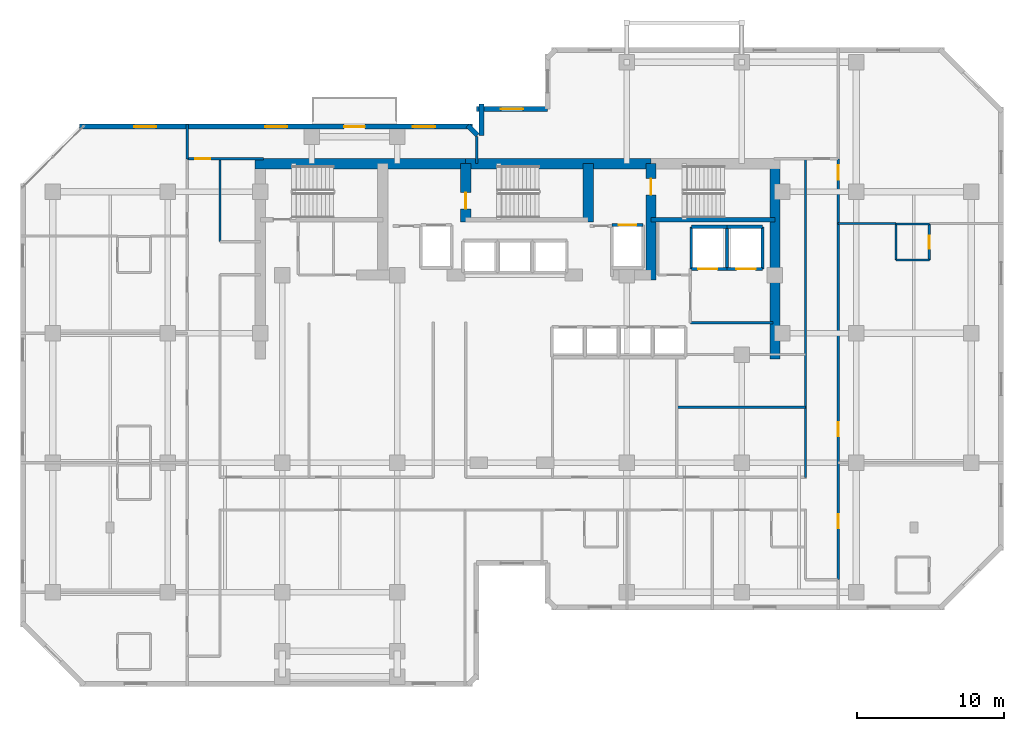
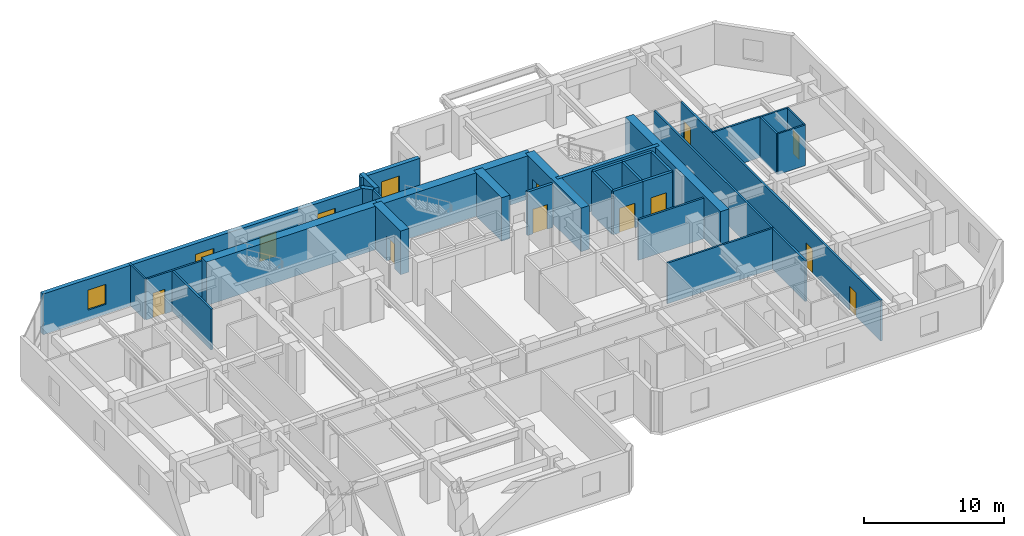
# One storey, part 7 of 9: 32 walls, 11 doors, 4 windows, 15 openings.
"""IFC4 building model written with IfcOpenShell, lengths in metres."""

from ifc_helpers import new_model, si_unit, direction, frame, frame_2d, origin, place, context, subcontext, project, spatial, rectangle, extrude, material, layer, layer_set, type_object, element, fill, save


model = new_model("IFC4")

# Units and contexts
model_context = context("Model", 3, precision=1e-05, world=origin(), true_north=direction((0.0, 1.0)))
body_context = subcontext(model_context, "Body", "Model", "MODEL_VIEW")
ifc_project = project(units=[si_unit("LENGTHUNIT", "METRE"), si_unit("AREAUNIT", "SQUARE_METRE"), si_unit("VOLUMEUNIT", "CUBIC_METRE"), si_unit("PLANEANGLEUNIT", "RADIAN"), si_unit("MASSUNIT", "GRAM", prefix="KILO")], contexts=[model_context])

# Site, building, storey
site_placement = place(None, origin())
site = spatial("IfcSite", under=ifc_project, at=site_placement, CompositionType="ELEMENT")
building_placement = place(site_placement, origin())
building = spatial("IfcBuilding", under=site, at=building_placement, Name="Kestravale Grand Hotel", CompositionType="ELEMENT")
storey_placement = place(building_placement, frame((0.0, 0.0, 146.0)))
storey = spatial("IfcBuildingStorey", under=building, at=storey_placement, Name="L36", CompositionType="ELEMENT", Elevation=146.0)

# Walls
ifc_material_1 = material(Name="Concrete f'c 60 MPa", Category="concrete")
ifc_layer_1 = layer(ifc_material_1, 0.699951171875)
ifc_layer_set_1 = layer_set([ifc_layer_1], Name="EW-CORE-700")
wall_type_1 = type_object("IfcWallType", Name="EW-CORE-700", PredefinedType="SHEAR", material=ifc_layer_set_1)
wall_1_placement = place(storey_placement, frame((21.550048828125, 40.320068359375, 0.0), z_axis=(0.0, 0.0, 1.0), x_axis=(1.0, 0.0, 0.0)))
element("IfcWall", 1, at=wall_1_placement, inside=storey, type_object=wall_type_1, Name="L36 core shear wall N1", PredefinedType="SHEAR", context=body_context, shape_type="SweptSolid", body=[
    extrude(rectangle(XDim=14.300048828125, YDim=0.699951171875, at=frame_2d((7.14990234375, 0.0))), origin(), (0.0, 0.0, 1.0), 3.800048828125),
])
wall_2_placement = place(storey_placement, frame((35.85009765625, 40.320068359375, 0.0), z_axis=(0.0, 0.0, 1.0), x_axis=(1.0, 0.0, 0.0)))
element("IfcWall", 2, at=wall_2_placement, inside=storey, type_object=wall_type_1, Name="L36 core shear wall N2", PredefinedType="SHEAR", context=body_context, shape_type="SweptSolid", body=[
    extrude(rectangle(XDim=12.599853515625, YDim=0.699951171875, at=frame_2d((6.2998046875, 0.0))), origin(), (0.0, 0.0, 1.0), 3.800048828125),
])
wall_3_placement = place(storey_placement, frame((56.8701171875, 27.050048828125, 0.0), z_axis=(0.0, 0.0, 1.0), x_axis=(0.0, 1.0, 0.0)))
element("IfcWall", 3, at=wall_3_placement, inside=storey, type_object=wall_type_1, Name="L36 core shear wall E1", PredefinedType="SHEAR", context=body_context, shape_type="SweptSolid", body=[
    extrude(rectangle(XDim=13.619873046875, YDim=0.699951171875, at=frame_2d((6.81005859375, 0.0))), origin(), (0.0, 0.0, 1.0), 3.800048828125),
])

# Wall, opening, door
wall_4_placement = place(storey_placement, frame((35.85009765625, 36.3701171875, 0.0), z_axis=(0.0, 0.0, 1.0), x_axis=(0.0, 1.0, 0.0)))
wall_4 = element("IfcWall", 4, at=wall_4_placement, inside=storey, type_object=wall_type_1, Name="L36 core shear wall X2", PredefinedType="SHEAR", context=body_context, shape_type="SweptSolid", body=[
    extrude(rectangle(XDim=3.949951171875, YDim=0.699951171875, at=frame_2d((1.97509765625, 0.0))), origin(), (0.0, 0.0, 1.0), 3.800048828125),
])
opening_1_placement = place(wall_4_placement, frame((0.8798828125, 0.0, 0.0)))
opening_1 = element("IfcOpeningElement", 5, at=opening_1_placement, cuts=wall_4, Name="Opening D-ST-1100", PredefinedType="OPENING", context=body_context, shape_type="SweptSolid", body=[
    extrude(rectangle(XDim=1.10009765625, YDim=2.14990234375, at=frame_2d((0.550048828125, 1.074951171875))), frame((0.0, 0.35986328125, 0.0), z_axis=(0.0, -1.0, 0.0), x_axis=(1.0, 0.0, 0.0)), (0.0, 0.0, 1.0), 0.719970703125),
])
ifc_material_2 = material(Name="Galvanised 90-minute fire-rated steel stair door", Category="steel")
door_type_1 = type_object("IfcDoorType", Name="D-ST-1100", OperationType="NOTDEFINED", PredefinedType="DOOR", material=ifc_material_2)
door_1_placement = place(opening_1_placement, origin())
door_1 = element("IfcDoor", 6, at=door_1_placement, inside=storey, type_object=door_type_1, Name="L36 Stair ST-2 FSAE fire door", OperationType="SINGLE_SWING_RIGHT", OverallHeight=2.14990234375, OverallWidth=1.10009765625, PredefinedType="DOOR", context=body_context, shape_type="SweptSolid", body=[
    extrude(rectangle(XDim=1.10009765625, YDim=2.14990234375, at=frame_2d((0.550048828125, 1.074951171875))), frame((0.0, 0.02490234375, 0.0), z_axis=(0.0, -1.0, 0.0), x_axis=(1.0, 0.0, 0.0)), (0.0, 0.0, 1.0), 0.050048828125),
])
fill(opening_1, door_1)

# Wall
wall_5_placement = place(storey_placement, frame((44.179931640625, 36.3701171875, 0.0), z_axis=(0.0, 0.0, 1.0), x_axis=(0.0, 1.0, 0.0)))
element("IfcWall", 7, at=wall_5_placement, inside=storey, type_object=wall_type_1, Name="L36 core shear wall X3", PredefinedType="SHEAR", context=body_context, shape_type="SweptSolid", body=[
    extrude(rectangle(XDim=3.949951171875, YDim=0.699951171875, at=frame_2d((1.97509765625, 0.0))), origin(), (0.0, 0.0, 1.0), 3.800048828125),
])

# Wall, opening, door
wall_6_placement = place(storey_placement, frame((48.449951171875, 32.39990234375, 0.0), z_axis=(0.0, 0.0, 1.0), x_axis=(0.0, 1.0, 0.0)))
wall_6 = element("IfcWall", 8, at=wall_6_placement, inside=storey, type_object=wall_type_1, Name="L36 core shear wall X4", PredefinedType="SHEAR", context=body_context, shape_type="SweptSolid", body=[
    extrude(rectangle(XDim=7.920166015625, YDim=0.699951171875, at=frame_2d((3.9599609375, 0.0))), origin(), (0.0, 0.0, 1.0), 3.800048828125),
])
opening_2_placement = place(wall_6_placement, frame((5.800048828125, 0.0, 0.0)))
opening_2 = element("IfcOpeningElement", 9, at=opening_2_placement, cuts=wall_6, Name="Opening D-ST-1100", PredefinedType="OPENING", context=body_context, shape_type="SweptSolid", body=[
    extrude(rectangle(XDim=1.10009765625, YDim=2.14990234375, at=frame_2d((0.550048828125, 1.074951171875))), frame((0.0, 0.35986328125, 0.0), z_axis=(0.0, -1.0, 0.0), x_axis=(1.0, 0.0, 0.0)), (0.0, 0.0, 1.0), 0.719970703125),
])
door_2_placement = place(opening_2_placement, origin())
door_2 = element("IfcDoor", 10, at=door_2_placement, inside=storey, type_object=door_type_1, Name="L36 Stair ST-3 FSAE fire door", OperationType="SINGLE_SWING_RIGHT", OverallHeight=2.14990234375, OverallWidth=1.10009765625, PredefinedType="DOOR", context=body_context, shape_type="SweptSolid", body=[
    extrude(rectangle(XDim=1.10009765625, YDim=2.14990234375, at=frame_2d((0.550048828125, 1.074951171875))), frame((0.0, 0.02490234375, 0.0), z_axis=(0.0, -1.0, 0.0), x_axis=(1.0, 0.0, 0.0)), (0.0, 0.0, 1.0), 0.050048828125),
])
fill(opening_2, door_2)

# Wall, opening, window
ifc_material_3 = material(Name="Precast concrete f'c 45 MPa", Category="concrete")
ifc_layer_2 = layer(ifc_material_3, 0.340087890625)
ifc_layer_set_2 = layer_set([ifc_layer_2], Name="EW-PREC-340")
wall_type_2 = type_object("IfcWallType", Name="EW-PREC-340", PredefinedType="SOLIDWALL", material=ifc_layer_set_2)
wall_7_placement = place(storey_placement, frame((41.419921875, 44.030029296875, 0.0), z_axis=(0.0, 0.0, 1.0), x_axis=(-1.0, 0.0, 0.0)))
wall_7 = element("IfcWall", 11, at=wall_7_placement, inside=storey, type_object=wall_type_2, Name="L36 fluted precast facade wall 14", PredefinedType="SOLIDWALL", context=body_context, shape_type="SweptSolid", body=[
    extrude(rectangle(XDim=4.83984375, YDim=0.340087890625, at=frame_2d((2.419921875, 0.0))), origin(), (0.0, 0.0, 1.0), 3.550048828125),
])
opening_3_placement = place(wall_7_placement, frame((1.669921875, 0.0, 0.85009765625)))
opening_3 = element("IfcOpeningElement", 12, at=opening_3_placement, cuts=wall_7, Name="Opening W-GUEST-1500", PredefinedType="OPENING", context=body_context, shape_type="SweptSolid", body=[
    extrude(rectangle(XDim=1.5, YDim=1.75, at=frame_2d((0.75, 0.875))), frame((0.0, 0.179931640625, 0.0), z_axis=(0.0, -1.0, 0.0), x_axis=(1.0, 0.0, 0.0)), (0.0, 0.0, 1.0), 0.360107421875),
])
ifc_material_4 = material(Name="Insulated low-E double glazing in aluminium frame", Category="aluminium")
window_type = type_object("IfcWindowType", Name="W-GUEST-1500", PartitioningType="SINGLE_PANEL", PredefinedType="WINDOW", material=ifc_material_4)
window_1_placement = place(opening_3_placement, origin())
window_1 = element("IfcWindow", 13, at=window_1_placement, inside=storey, type_object=window_type, Name="L36 exterior window 14.1", OverallHeight=1.75, OverallWidth=1.5, PartitioningType="SINGLE_PANEL", PredefinedType="WINDOW", context=body_context, shape_type="SweptSolid", body=[
    extrude(rectangle(XDim=1.5, YDim=1.75, at=frame_2d((0.75, 0.875))), frame((0.0, 0.030029296875, 0.0), z_axis=(0.0, -1.0, 0.0), x_axis=(1.0, 0.0, 0.0)), (0.0, 0.0, 1.0), 0.06005859375),
])
fill(opening_3, window_1)

# Walls
wall_8_placement = place(storey_placement, frame((36.919921875, 44.3701171875, 0.0), z_axis=(0.0, 0.0, 1.0), x_axis=(0.0, -1.0, 0.0)))
element("IfcWall", 14, at=wall_8_placement, inside=storey, type_object=wall_type_2, Name="L36 fluted precast facade wall 15", PredefinedType="SOLIDWALL", context=body_context, shape_type="SweptSolid", body=[
    extrude(rectangle(XDim=2.14013671875, YDim=0.340087890625, at=frame_2d((1.070068359375, 0.0))), origin(), (0.0, 0.0, 1.0), 3.550048828125),
])
wall_9_placement = place(storey_placement, frame((36.658203125, 42.25146484375, 0.0), z_axis=(0.0, 0.0, 1.0), x_axis=(-0.707106781187, 0.707106781187, 0.0)))
element("IfcWall", 15, at=wall_9_placement, inside=storey, type_object=wall_type_2, Name="L36 fluted precast facade wall 16", PredefinedType="SOLIDWALL", context=body_context, shape_type="SweptSolid", body=[
    extrude(rectangle(XDim=0.9287109375, YDim=0.340087890625, at=frame_2d((0.46435546875, 0.0))), origin(), (0.0, 0.0, 1.0), 3.550048828125),
])

# Wall, openings, door, windows
wall_10_placement = place(storey_placement, frame((36.320068359375, 42.830078125, 0.0), z_axis=(0.0, 0.0, 1.0), x_axis=(-1.0, 0.0, 0.0)))
wall_10 = element("IfcWall", 16, at=wall_10_placement, inside=storey, type_object=wall_type_2, Name="L36 fluted precast facade wall 17", PredefinedType="SOLIDWALL", context=body_context, shape_type="SweptSolid", body=[
    extrude(rectangle(XDim=26.690185546875, YDim=0.340087890625, at=frame_2d((13.34521484375, 0.0))), origin(), (0.0, 0.0, 1.0), 3.550048828125),
])
opening_4_placement = place(wall_10_placement, frame((7.320068359375, 0.0, 0.0)))
opening_4 = element("IfcOpeningElement", 17, at=opening_4_placement, cuts=wall_10, Name="Opening D-TERR-1400", PredefinedType="OPENING", context=body_context, shape_type="SweptSolid", body=[
    extrude(rectangle(XDim=1.39990234375, YDim=2.14990234375, at=frame_2d((0.699951171875, 1.074951171875))), frame((0.0, 0.179931640625, 0.0), z_axis=(0.0, -1.0, 0.0), x_axis=(1.0, 0.0, 0.0)), (0.0, 0.0, 1.0), 0.360107421875),
])
opening_5_placement = place(wall_10_placement, frame((2.54833984375, 0.0, 0.85009765625)))
opening_5 = element("IfcOpeningElement", 18, at=opening_5_placement, cuts=wall_10, Name="Opening W-GUEST-1500", PredefinedType="OPENING", context=body_context, shape_type="SweptSolid", body=[
    extrude(rectangle(XDim=1.5, YDim=1.75, at=frame_2d((0.75, 0.875))), frame((0.0, 0.179931640625, 0.0), z_axis=(0.0, -1.0, 0.0), x_axis=(1.0, 0.0, 0.0)), (0.0, 0.0, 1.0), 0.360107421875),
])
opening_6_placement = place(wall_10_placement, frame((12.594970703125, 0.0, 0.85009765625)))
opening_6 = element("IfcOpeningElement", 19, at=opening_6_placement, cuts=wall_10, Name="Opening W-GUEST-1500", PredefinedType="OPENING", context=body_context, shape_type="SweptSolid", body=[
    extrude(rectangle(XDim=1.5, YDim=1.75, at=frame_2d((0.75, 0.875))), frame((0.0, 0.179931640625, 0.0), z_axis=(0.0, -1.0, 0.0), x_axis=(1.0, 0.0, 0.0)), (0.0, 0.0, 1.0), 0.360107421875),
])
opening_7_placement = place(wall_10_placement, frame((21.49169921875, 0.0, 0.85009765625)))
opening_7 = element("IfcOpeningElement", 20, at=opening_7_placement, cuts=wall_10, Name="Opening W-GUEST-1500", PredefinedType="OPENING", context=body_context, shape_type="SweptSolid", body=[
    extrude(rectangle(XDim=1.5, YDim=1.75, at=frame_2d((0.75, 0.875))), frame((0.0, 0.179931640625, 0.0), z_axis=(0.0, -1.0, 0.0), x_axis=(1.0, 0.0, 0.0)), (0.0, 0.0, 1.0), 0.360107421875),
])
ifc_material_5 = material(Name="Insulated glazed champagne-bronze aluminium door", Category="aluminium")
door_type_2 = type_object("IfcDoorType", Name="D-TERR-1400", OperationType="NOTDEFINED", PredefinedType="DOOR", material=ifc_material_5)
door_3_placement = place(opening_4_placement, origin())
door_3 = element("IfcDoor", 21, at=door_3_placement, inside=storey, type_object=door_type_2, Name="L36 outdoor garden terrace door", OperationType="DOUBLE_DOOR_SINGLE_SWING", OverallHeight=2.14990234375, OverallWidth=1.39990234375, PredefinedType="DOOR", context=body_context, shape_type="SweptSolid", body=[
    extrude(rectangle(XDim=1.39990234375, YDim=2.14990234375, at=frame_2d((0.699951171875, 1.074951171875))), frame((0.0, 0.02490234375, 0.0), z_axis=(0.0, -1.0, 0.0), x_axis=(1.0, 0.0, 0.0)), (0.0, 0.0, 1.0), 0.050048828125),
])
fill(opening_4, door_3)
window_2_placement = place(opening_5_placement, origin())
window_2 = element("IfcWindow", 22, at=window_2_placement, inside=storey, type_object=window_type, Name="L36 exterior window 17.1", OverallHeight=1.75, OverallWidth=1.5, PartitioningType="SINGLE_PANEL", PredefinedType="WINDOW", context=body_context, shape_type="SweptSolid", body=[
    extrude(rectangle(XDim=1.5, YDim=1.75, at=frame_2d((0.75, 0.875))), frame((0.0, 0.030029296875, 0.0), z_axis=(0.0, -1.0, 0.0), x_axis=(1.0, 0.0, 0.0)), (0.0, 0.0, 1.0), 0.06005859375),
])
fill(opening_5, window_2)
window_3_placement = place(opening_6_placement, origin())
window_3 = element("IfcWindow", 23, at=window_3_placement, inside=storey, type_object=window_type, Name="L36 exterior window 17.2", OverallHeight=1.75, OverallWidth=1.5, PartitioningType="SINGLE_PANEL", PredefinedType="WINDOW", context=body_context, shape_type="SweptSolid", body=[
    extrude(rectangle(XDim=1.5, YDim=1.75, at=frame_2d((0.75, 0.875))), frame((0.0, 0.030029296875, 0.0), z_axis=(0.0, -1.0, 0.0), x_axis=(1.0, 0.0, 0.0)), (0.0, 0.0, 1.0), 0.06005859375),
])
fill(opening_6, window_3)
window_4_placement = place(opening_7_placement, origin())
window_4 = element("IfcWindow", 24, at=window_4_placement, inside=storey, type_object=window_type, Name="L36 exterior window 17.3", OverallHeight=1.75, OverallWidth=1.5, PartitioningType="SINGLE_PANEL", PredefinedType="WINDOW", context=body_context, shape_type="SweptSolid", body=[
    extrude(rectangle(XDim=1.5, YDim=1.75, at=frame_2d((0.75, 0.875))), frame((0.0, 0.030029296875, 0.0), z_axis=(0.0, -1.0, 0.0), x_axis=(1.0, 0.0, 0.0)), (0.0, 0.0, 1.0), 0.06005859375),
])
fill(opening_7, window_4)

# Walls
ifc_material_6 = material(Name="Concrete f'c 45 MPa", Category="concrete")
ifc_layer_3 = layer(ifc_material_6, 0.300048828125)
ifc_layer_set_3 = layer_set([ifc_layer_3], Name="EW-STAIR-300")
wall_type_3 = type_object("IfcWallType", Name="EW-STAIR-300", PredefinedType="SHEAR", material=ifc_layer_set_3)
wall_11_placement = place(storey_placement, frame((48.449951171875, 36.52001953125, 0.0), z_axis=(0.0, 0.0, 1.0), x_axis=(1.0, 0.0, 0.0)))
element("IfcWall", 25, at=wall_11_placement, inside=storey, type_object=wall_type_3, Name="L36 stair enclosure shear wall SST3", PredefinedType="SHEAR", context=body_context, shape_type="SweptSolid", body=[
    extrude(rectangle(XDim=8.420166015625, YDim=0.300048828125, at=frame_2d((4.2099609375, 0.0))), origin(), (0.0, 0.0, 1.0), 3.800048828125),
])
ifc_material_7 = material(Name="Acoustic fire-rated gypsum board partition", Category="other")
ifc_layer_4 = layer(ifc_material_7, 0.159912109375)
ifc_layer_set_4 = layer_set([ifc_layer_4], Name="IW-CORR-160")
wall_type_4 = type_object("IfcWallType", Name="IW-CORR-160", PredefinedType="PARTITIONING", material=ifc_layer_set_4)
for number, where, z_axis, x_axis, name in (
    (26, (51.1201171875, 29.5, 0.0), (0.0, 0.0, 1.0), (1.0, 0.0, 0.0), "L36 service lift lobby wall"),
    (27, (19.159912109375, 35.02001953125, 0.0), (0.0, 0.0, 1.0), (0.0, 1.0, 0.0), "W-L36-SW-EN"),
):
    element("IfcWall", number, at=place(storey_placement, frame(where, z_axis=z_axis, x_axis=x_axis)), inside=storey, type_object=wall_type_4, Name=name, PredefinedType="PARTITIONING", context=body_context, shape_type="SweptSolid", body=[
        extrude(rectangle(XDim=5.6298828125, YDim=0.159912109375, at=frame_2d((2.81494140625, 0.0))), origin(), (0.0, 0.0, 1.0), 3.550048828125),
    ])

# Wall, openings, doors
wall_12_placement = place(storey_placement, frame((61.159912109375, 12.050048828125, 0.0), z_axis=(0.0, 0.0, 1.0), x_axis=(0.0, 1.0, 0.0)))
wall_12 = element("IfcWall", 28, at=wall_12_placement, inside=storey, type_object=wall_type_4, Name="W-L36-SE-E", PredefinedType="PARTITIONING", context=body_context, shape_type="SweptSolid", body=[
    extrude(rectangle(XDim=28.599853515625, YDim=0.159912109375, at=frame_2d((14.2998046875, 0.0))), origin(), (0.0, 0.0, 1.0), 3.550048828125),
])
opening_8_placement = place(wall_12_placement, frame((3.5, 0.0, 0.0)))
opening_8 = element("IfcOpeningElement", 29, at=opening_8_placement, cuts=wall_12, Name="Opening D-GUEST-950", PredefinedType="OPENING", context=body_context, shape_type="SweptSolid", body=[
    extrude(rectangle(XDim=0.949951171875, YDim=2.10009765625, at=frame_2d((0.47509765625, 1.050048828125))), frame((0.0, 0.08984375, 0.0), z_axis=(0.0, -1.0, 0.0), x_axis=(1.0, 0.0, 0.0)), (0.0, 0.0, 1.0), 0.179931640625),
])
opening_9_placement = place(wall_12_placement, frame((9.758056640625, 0.0, 0.0)))
opening_9 = element("IfcOpeningElement", 30, at=opening_9_placement, cuts=wall_12, Name="Opening D-GUEST-950", PredefinedType="OPENING", context=body_context, shape_type="SweptSolid", body=[
    extrude(rectangle(XDim=0.949951171875, YDim=2.10009765625, at=frame_2d((0.47509765625, 1.050048828125))), frame((0.0, 0.08984375, 0.0), z_axis=(0.0, -1.0, 0.0), x_axis=(1.0, 0.0, 0.0)), (0.0, 0.0, 1.0), 0.179931640625),
])
opening_10_placement = place(wall_12_placement, frame((27.159912109375, 0.0, 0.0)))
opening_10 = element("IfcOpeningElement", 31, at=opening_10_placement, cuts=wall_12, Name="Opening D-GUEST-1000", PredefinedType="OPENING", context=body_context, shape_type="SweptSolid", body=[
    extrude(rectangle(XDim=1.0, YDim=2.14990234375, at=frame_2d((0.5, 1.074951171875))), frame((0.0, 0.08984375, 0.0), z_axis=(0.0, -1.0, 0.0), x_axis=(1.0, 0.0, 0.0)), (0.0, 0.0, 1.0), 0.179931640625),
])
ifc_material_8 = material(Name="Accessible walnut veneer hotel entrance fire door", Category="wood")
door_type_3 = type_object("IfcDoorType", Name="D-GUEST-1000", OperationType="NOTDEFINED", PredefinedType="DOOR", material=ifc_material_8)
door_4_placement = place(opening_10_placement, origin())
door_4 = element("IfcDoor", 32, at=door_4_placement, inside=storey, type_object=door_type_3, Name="D-L36-AMEW", OperationType="SINGLE_SWING_RIGHT", OverallHeight=2.14990234375, OverallWidth=1.0, PredefinedType="DOOR", context=body_context, shape_type="SweptSolid", body=[
    extrude(rectangle(XDim=1.0, YDim=2.14990234375, at=frame_2d((0.5, 1.074951171875))), frame((0.0, 0.02490234375, 0.0), z_axis=(0.0, -1.0, 0.0), x_axis=(1.0, 0.0, 0.0)), (0.0, 0.0, 1.0), 0.050048828125),
])
fill(opening_10, door_4)
ifc_material_9 = material(Name="Walnut veneer hotel guestroom entrance fire door", Category="wood")
door_type_4 = type_object("IfcDoorType", Name="D-GUEST-950", OperationType="NOTDEFINED", PredefinedType="DOOR", material=ifc_material_9)
door_5_placement = place(opening_8_placement, origin())
door_5 = element("IfcDoor", 33, at=door_5_placement, inside=storey, type_object=door_type_4, Name="D-L36-U07-ENT", OperationType="SINGLE_SWING_LEFT", OverallHeight=2.10009765625, OverallWidth=0.949951171875, PredefinedType="DOOR", context=body_context, shape_type="SweptSolid", body=[
    extrude(rectangle(XDim=0.949951171875, YDim=2.10009765625, at=frame_2d((0.47509765625, 1.050048828125))), frame((0.0, 0.02490234375, 0.0), z_axis=(0.0, -1.0, 0.0), x_axis=(1.0, 0.0, 0.0)), (0.0, 0.0, 1.0), 0.050048828125),
])
fill(opening_8, door_5)
door_6_placement = place(opening_9_placement, origin())
door_6 = element("IfcDoor", 34, at=door_6_placement, inside=storey, type_object=door_type_4, Name="D-L36-U08-ENT", OperationType="SINGLE_SWING_LEFT", OverallHeight=2.10009765625, OverallWidth=0.949951171875, PredefinedType="DOOR", context=body_context, shape_type="SweptSolid", body=[
    extrude(rectangle(XDim=0.949951171875, YDim=2.10009765625, at=frame_2d((0.47509765625, 1.050048828125))), frame((0.0, 0.02490234375, 0.0), z_axis=(0.0, -1.0, 0.0), x_axis=(1.0, 0.0, 0.0)), (0.0, 0.0, 1.0), 0.050048828125),
])
fill(opening_9, door_6)

# Walls
wall_13_placement = place(storey_placement, frame((58.93994140625, 19.010009765625, 0.0), z_axis=(0.0, 0.0, 1.0), x_axis=(0.0, 1.0, 0.0)))
element("IfcWall", 35, at=wall_13_placement, inside=storey, type_object=wall_type_4, Name="W-L36-SE-WU", PredefinedType="PARTITIONING", context=body_context, shape_type="SweptSolid", body=[
    extrude(rectangle(XDim=21.639892578125, YDim=0.159912109375, at=frame_2d((10.81982421875, 0.0))), origin(), (0.0, 0.0, 1.0), 3.550048828125),
])
ifc_material_10 = material(Name="Moisture-resistant tile-backer plumbing chase wall", Category="other")
ifc_layer_5 = layer(ifc_material_10, 0.139892578125)
ifc_layer_set_5 = layer_set([ifc_layer_5], Name="IW-PLB-140")
wall_type_5 = type_object("IfcWallType", Name="IW-PLB-140", PredefinedType="PLUMBINGWALL", material=ifc_layer_set_5)
wall_14_placement = place(storey_placement, frame((65.10009765625, 33.760009765625, 0.0), z_axis=(0.0, 0.0, 1.0), x_axis=(0.0, 1.0, 0.0)))
element("IfcWall", 36, at=wall_14_placement, inside=storey, type_object=wall_type_5, Name="W-L36-U08-BW", PredefinedType="PLUMBINGWALL", context=body_context, shape_type="SweptSolid", body=[
    extrude(rectangle(XDim=2.449951171875, YDim=0.139892578125, at=frame_2d((1.22509765625, 0.0))), origin(), (0.0, 0.0, 1.0), 3.550048828125),
])

# Wall, opening, door
wall_15_placement = place(storey_placement, frame((67.35009765625, 33.760009765625, 0.0), z_axis=(0.0, 0.0, 1.0), x_axis=(0.0, 1.0, 0.0)))
wall_15 = element("IfcWall", 37, at=wall_15_placement, inside=storey, type_object=wall_type_5, Name="W-L36-U08-BE", PredefinedType="PLUMBINGWALL", context=body_context, shape_type="SweptSolid", body=[
    extrude(rectangle(XDim=2.449951171875, YDim=0.139892578125, at=frame_2d((1.22509765625, 0.0))), origin(), (0.0, 0.0, 1.0), 3.550048828125),
])
opening_11_placement = place(wall_15_placement, frame((0.784912109375, 0.0, 0.0)))
opening_11 = element("IfcOpeningElement", 38, at=opening_11_placement, cuts=wall_15, Name="Opening D-BATH-880", PredefinedType="OPENING", context=body_context, shape_type="SweptSolid", body=[
    extrude(rectangle(XDim=0.8798828125, YDim=2.050048828125, at=frame_2d((0.43994140625, 1.02490234375))), frame((0.0, 0.079833984375, 0.0), z_axis=(0.0, -1.0, 0.0), x_axis=(1.0, 0.0, 0.0)), (0.0, 0.0, 1.0), 0.159912109375),
])
ifc_material_11 = material(Name="Moisture-sealed walnut en-suite bathroom door", Category="wood")
door_type_5 = type_object("IfcDoorType", Name="D-BATH-880", OperationType="NOTDEFINED", PredefinedType="DOOR", material=ifc_material_11)
door_7_placement = place(opening_11_placement, origin())
door_7 = element("IfcDoor", 39, at=door_7_placement, inside=storey, type_object=door_type_5, Name="D-L36-U08-BATH", OperationType="SINGLE_SWING_RIGHT", OverallHeight=2.050048828125, OverallWidth=0.8798828125, PredefinedType="DOOR", context=body_context, shape_type="SweptSolid", body=[
    extrude(rectangle(XDim=0.8798828125, YDim=2.050048828125, at=frame_2d((0.43994140625, 1.02490234375))), frame((0.0, 0.02490234375, 0.0), z_axis=(0.0, -1.0, 0.0), x_axis=(1.0, 0.0, 0.0)), (0.0, 0.0, 1.0), 0.050048828125),
])
fill(opening_11, door_7)

# Walls
for number, where, z_axis, x_axis, name in (
    (40, (65.10009765625, 33.760009765625, 0.0), (0.0, 0.0, 1.0), (1.0, 0.0, 0.0), "W-L36-U08-BS"),
    (41, (65.10009765625, 36.2099609375, 0.0), (0.0, 0.0, 1.0), (1.0, 0.0, 0.0), "W-L36-U08-BN"),
):
    element("IfcWall", number, at=place(storey_placement, frame(where, z_axis=z_axis, x_axis=x_axis)), inside=storey, type_object=wall_type_5, Name=name, PredefinedType="PLUMBINGWALL", context=body_context, shape_type="SweptSolid", body=[
        extrude(rectangle(XDim=2.25, YDim=0.139892578125, at=frame_2d((1.125, 0.0))), origin(), (0.0, 0.0, 1.0), 3.550048828125),
    ])
ifc_material_12 = material(Name="Concrete f'c 45 MPa", Category="concrete")
ifc_layer_6 = layer(ifc_material_12, 0.199951171875)
ifc_layer_set_6 = layer_set([ifc_layer_6], Name="IW-SHAFT-200")
wall_type_6 = type_object("IfcWallType", Name="IW-SHAFT-200", PredefinedType="SHEAR", material=ifc_layer_set_6)
for number, where, z_axis, x_axis, name in (
    (42, (51.179931640625, 33.169921875, 0.0), (0.0, 0.0, 1.0), (0.0, 1.0, 0.0), "L36 SL-1 west shaft wall"),
    (43, (53.60009765625, 33.169921875, 0.0), (0.0, 0.0, 1.0), (0.0, 1.0, 0.0), "L36 SL-2 west shaft wall"),
    (44, (56.02001953125, 33.169921875, 0.0), (0.0, 0.0, 1.0), (0.0, 1.0, 0.0), "L36 SL-2 east shaft wall"),
):
    element("IfcWall", number, at=place(storey_placement, frame(where, z_axis=z_axis, x_axis=x_axis)), inside=storey, type_object=wall_type_6, Name=name, PredefinedType="SHEAR", context=body_context, shape_type="SweptSolid", body=[
        extrude(rectangle(XDim=2.860107421875, YDim=0.199951171875, at=frame_2d((1.43017578125, 0.0))), origin(), (0.0, 0.0, 1.0), 3.800048828125),
    ])
ifc_material_13 = material(Name="Concrete f'c 45 MPa", Category="concrete")
ifc_layer_7 = layer(ifc_material_13, 0.219970703125)
ifc_layer_set_7 = layer_set([ifc_layer_7], Name="IW-SHAFT-220")
wall_type_7 = type_object("IfcWallType", Name="IW-SHAFT-220", PredefinedType="SHEAR", material=ifc_layer_set_7)
wall_16_placement = place(storey_placement, frame((51.179931640625, 36.030029296875, 0.0), z_axis=(0.0, 0.0, 1.0), x_axis=(1.0, 0.0, 0.0)))
element("IfcWall", 45, at=wall_16_placement, inside=storey, type_object=wall_type_7, Name="L36 SL-1 north shaft wall", PredefinedType="SHEAR", context=body_context, shape_type="SweptSolid", body=[
    extrude(rectangle(XDim=2.420166015625, YDim=0.219970703125, at=frame_2d((1.2099609375, 0.0))), origin(), (0.0, 0.0, 1.0), 3.800048828125),
])

# Wall, opening, door
wall_17_placement = place(storey_placement, frame((51.179931640625, 33.169921875, 0.0), z_axis=(0.0, 0.0, 1.0), x_axis=(1.0, 0.0, 0.0)))
wall_17 = element("IfcWall", 46, at=wall_17_placement, inside=storey, type_object=wall_type_7, Name="L36 SL-1 south shaft wall", PredefinedType="SHEAR", context=body_context, shape_type="SweptSolid", body=[
    extrude(rectangle(XDim=2.420166015625, YDim=0.219970703125, at=frame_2d((1.2099609375, 0.0))), origin(), (0.0, 0.0, 1.0), 3.800048828125),
])
opening_12_placement = place(wall_17_placement, frame((0.469970703125, 0.0, 0.0)))
opening_12 = element("IfcOpeningElement", 47, at=opening_12_placement, cuts=wall_17, Name="Opening LD-SVC-1300", PredefinedType="OPENING", context=body_context, shape_type="SweptSolid", body=[
    extrude(rectangle(XDim=1.300048828125, YDim=2.14990234375, at=frame_2d((0.64990234375, 1.074951171875))), frame((0.0, 0.119873046875, 0.0), z_axis=(0.0, -1.0, 0.0), x_axis=(1.0, 0.0, 0.0)), (0.0, 0.0, 1.0), 0.239990234375),
])
ifc_material_14 = material(Name="Heavy-duty service sliding elevator landing door", Category="steel")
door_type_6 = type_object("IfcDoorType", Name="LD-SVC-1300", OperationType="NOTDEFINED", PredefinedType="DOOR", material=ifc_material_14)
door_8_placement = place(opening_12_placement, origin())
door_8 = element("IfcDoor", 48, at=door_8_placement, inside=storey, type_object=door_type_6, Name="L36 SL-1 elevator landing sliding door", OperationType="DOUBLE_DOOR_SLIDING", OverallHeight=2.14990234375, OverallWidth=1.300048828125, PredefinedType="DOOR", context=body_context, shape_type="SweptSolid", body=[
    extrude(rectangle(XDim=1.300048828125, YDim=2.14990234375, at=frame_2d((0.64990234375, 1.074951171875))), frame((0.0, 0.02490234375, 0.0), z_axis=(0.0, -1.0, 0.0), x_axis=(1.0, 0.0, 0.0)), (0.0, 0.0, 1.0), 0.050048828125),
])
fill(opening_12, door_8)

# Wall
wall_18_placement = place(storey_placement, frame((53.60009765625, 36.030029296875, 0.0), z_axis=(0.0, 0.0, 1.0), x_axis=(1.0, 0.0, 0.0)))
element("IfcWall", 49, at=wall_18_placement, inside=storey, type_object=wall_type_7, Name="L36 SL-2 north shaft wall", PredefinedType="SHEAR", context=body_context, shape_type="SweptSolid", body=[
    extrude(rectangle(XDim=2.419921875, YDim=0.219970703125, at=frame_2d((1.2099609375, 0.0))), origin(), (0.0, 0.0, 1.0), 3.800048828125),
])

# Wall, opening, door
wall_19_placement = place(storey_placement, frame((53.60009765625, 33.169921875, 0.0), z_axis=(0.0, 0.0, 1.0), x_axis=(1.0, 0.0, 0.0)))
wall_19 = element("IfcWall", 50, at=wall_19_placement, inside=storey, type_object=wall_type_7, Name="L36 SL-2 south shaft wall", PredefinedType="SHEAR", context=body_context, shape_type="SweptSolid", body=[
    extrude(rectangle(XDim=2.419921875, YDim=0.219970703125, at=frame_2d((1.2099609375, 0.0))), origin(), (0.0, 0.0, 1.0), 3.800048828125),
])
opening_13_placement = place(wall_19_placement, frame((0.64990234375, 0.0, 0.0)))
opening_13 = element("IfcOpeningElement", 51, at=opening_13_placement, cuts=wall_19, Name="Opening LD-SVC-1300", PredefinedType="OPENING", context=body_context, shape_type="SweptSolid", body=[
    extrude(rectangle(XDim=1.300048828125, YDim=2.14990234375, at=frame_2d((0.64990234375, 1.074951171875))), frame((0.0, 0.119873046875, 0.0), z_axis=(0.0, -1.0, 0.0), x_axis=(1.0, 0.0, 0.0)), (0.0, 0.0, 1.0), 0.239990234375),
])
door_9_placement = place(opening_13_placement, origin())
door_9 = element("IfcDoor", 52, at=door_9_placement, inside=storey, type_object=door_type_6, Name="L36 SL-2 elevator landing sliding door", OperationType="DOUBLE_DOOR_SLIDING", OverallHeight=2.14990234375, OverallWidth=1.300048828125, PredefinedType="DOOR", context=body_context, shape_type="SweptSolid", body=[
    extrude(rectangle(XDim=1.300048828125, YDim=2.14990234375, at=frame_2d((0.64990234375, 1.074951171875))), frame((0.0, 0.02490234375, 0.0), z_axis=(0.0, -1.0, 0.0), x_axis=(1.0, 0.0, 0.0)), (0.0, 0.0, 1.0), 0.050048828125),
])
fill(opening_13, door_9)

wall_20_placement = place(storey_placement, frame((45.804931640625, 36.155029296875, 0.0), z_axis=(0.0, 0.0, 1.0), x_axis=(1.0, 0.0, 0.0)))
wall_20 = element("IfcWall", 53, at=wall_20_placement, inside=storey, type_object=wall_type_7, Name="L36 FL-2 north shaft wall", PredefinedType="SHEAR", context=body_context, shape_type="SweptSolid", body=[
    extrude(rectangle(XDim=2.090087890625, YDim=0.219970703125, at=frame_2d((1.044921875, 0.0))), origin(), (0.0, 0.0, 1.0), 3.800048828125),
])
opening_14_placement = place(wall_20_placement, frame((0.445068359375, 0.0, 0.0)))
opening_14 = element("IfcOpeningElement", 54, at=opening_14_placement, cuts=wall_20, Name="Opening LD-FSAE-1200", PredefinedType="OPENING", context=body_context, shape_type="SweptSolid", body=[
    extrude(rectangle(XDim=1.199951171875, YDim=2.14990234375, at=frame_2d((0.60009765625, 1.074951171875))), frame((0.0, 0.119873046875, 0.0), z_axis=(0.0, -1.0, 0.0), x_axis=(1.0, 0.0, 0.0)), (0.0, 0.0, 1.0), 0.239990234375),
])
ifc_material_15 = material(Name="Stainless fire-service sliding elevator landing door", Category="steel")
door_type_7 = type_object("IfcDoorType", Name="LD-FSAE-1200", OperationType="NOTDEFINED", PredefinedType="DOOR", material=ifc_material_15)
door_10_placement = place(opening_14_placement, origin())
door_10 = element("IfcDoor", 55, at=door_10_placement, inside=storey, type_object=door_type_7, Name="L36 FL-2 elevator landing sliding door", OperationType="DOUBLE_DOOR_SLIDING", OverallHeight=2.14990234375, OverallWidth=1.199951171875, PredefinedType="DOOR", context=body_context, shape_type="SweptSolid", body=[
    extrude(rectangle(XDim=1.199951171875, YDim=2.14990234375, at=frame_2d((0.60009765625, 1.074951171875))), frame((0.0, 0.02490234375, 0.0), z_axis=(0.0, -1.0, 0.0), x_axis=(1.0, 0.0, 0.0)), (0.0, 0.0, 1.0), 0.050048828125),
])
fill(opening_14, door_10)

ifc_material_16 = material(Name="Double-stud STC 52 acoustic demising partition", Category="other")
ifc_layer_8 = layer(ifc_material_16, 0.14990234375)
ifc_layer_set_8 = layer_set([ifc_layer_8], Name="IW-UNIT-150")
wall_type_8 = type_object("IfcWallType", Name="IW-UNIT-150", PredefinedType="PARTITIONING", material=ifc_layer_set_8)
wall_21_placement = place(storey_placement, frame((16.93994140625, 40.64990234375, 0.0), z_axis=(0.0, 0.0, 1.0), x_axis=(1.0, 0.0, 0.0)))
wall_21 = element("IfcWall", 56, at=wall_21_placement, inside=storey, type_object=wall_type_8, Name="W-L36-SW-N", PredefinedType="PARTITIONING", context=body_context, shape_type="SweptSolid", body=[
    extrude(rectangle(XDim=5.16015625, YDim=0.14990234375, at=frame_2d((2.580078125, 0.0))), origin(), (0.0, 0.0, 1.0), 3.550048828125),
])
opening_15_placement = place(wall_21_placement, frame((0.550048828125, 0.0, 0.0)))
opening_15 = element("IfcOpeningElement", 57, at=opening_15_placement, cuts=wall_21, Name="Opening D-GUEST-1000", PredefinedType="OPENING", context=body_context, shape_type="SweptSolid", body=[
    extrude(rectangle(XDim=1.0, YDim=2.14990234375, at=frame_2d((0.5, 1.074951171875))), frame((0.0, 0.0849609375, 0.0), z_axis=(0.0, -1.0, 0.0), x_axis=(1.0, 0.0, 0.0)), (0.0, 0.0, 1.0), 0.169921875),
])
door_11_placement = place(opening_15_placement, origin())
door_11 = element("IfcDoor", 58, at=door_11_placement, inside=storey, type_object=door_type_3, Name="L36 NW Gallery Door", OperationType="SINGLE_SWING_RIGHT", OverallHeight=2.14990234375, OverallWidth=1.0, PredefinedType="DOOR", context=body_context, shape_type="SweptSolid", body=[
    extrude(rectangle(XDim=1.0, YDim=2.14990234375, at=frame_2d((0.5, 1.074951171875))), frame((0.0, 0.02490234375, 0.0), z_axis=(0.0, -1.0, 0.0), x_axis=(1.0, 0.0, 0.0)), (0.0, 0.0, 1.0), 0.050048828125),
])
fill(opening_15, door_11)

# Walls
wall_22_placement = place(storey_placement, frame((50.199951171875, 23.77001953125, 0.0), z_axis=(0.0, 0.0, 1.0), x_axis=(1.0, 0.0, 0.0)))
element("IfcWall", 59, at=wall_22_placement, inside=storey, type_object=wall_type_8, Name="W-L36-RCLE-H", PredefinedType="PARTITIONING", context=body_context, shape_type="SweptSolid", body=[
    extrude(rectangle(XDim=8.739990234375, YDim=0.14990234375, at=frame_2d((4.3701171875, 0.0))), origin(), (0.0, 0.0, 1.0), 3.550048828125),
])
wall_23_placement = place(storey_placement, frame((16.93994140625, 40.64990234375, 0.0), z_axis=(0.0, 0.0, 1.0), x_axis=(0.0, 1.0, 0.0)))
element("IfcWall", 60, at=wall_23_placement, inside=storey, type_object=wall_type_8, Name="W-L36-NGW-W", PredefinedType="PARTITIONING", context=body_context, shape_type="SweptSolid", body=[
    extrude(rectangle(XDim=2.330078125, YDim=0.14990234375, at=frame_2d((1.1650390625, 0.0))), origin(), (0.0, 0.0, 1.0), 3.550048828125),
])
wall_24_placement = place(storey_placement, frame((36.60009765625, 40.320068359375, 0.0), z_axis=(0.0, 0.0, 1.0), x_axis=(0.0, 1.0, 0.0)))
element("IfcWall", 61, at=wall_24_placement, inside=storey, type_object=wall_type_8, Name="W-L36-NGM", PredefinedType="PARTITIONING", context=body_context, shape_type="SweptSolid", body=[
    extrude(rectangle(XDim=1.844970703125, YDim=0.14990234375, at=frame_2d((0.92236328125, 0.0))), origin(), (0.0, 0.0, 1.0), 3.550048828125),
])
wall_25_placement = place(storey_placement, frame((61.159912109375, 36.25, 0.0), z_axis=(0.0, 0.0, 1.0), x_axis=(1.0, 0.0, 0.0)))
element("IfcWall", 62, at=wall_25_placement, inside=storey, type_object=wall_type_8, Name="W-L36-EW-2", PredefinedType="PARTITIONING", context=body_context, shape_type="SweptSolid", body=[
    extrude(rectangle(XDim=3.940185546875, YDim=0.14990234375, at=frame_2d((1.97021484375, 0.0))), origin(), (0.0, 0.0, 1.0), 3.550048828125),
])

save(model, "model.ifc")
